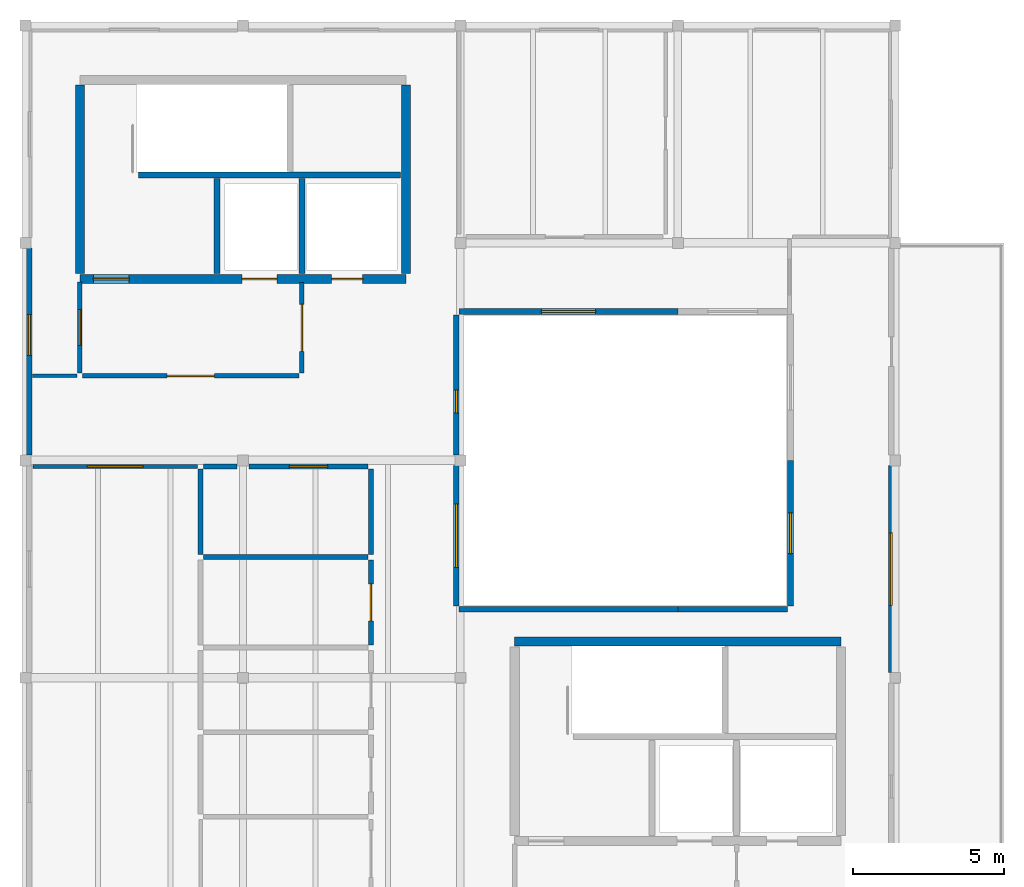
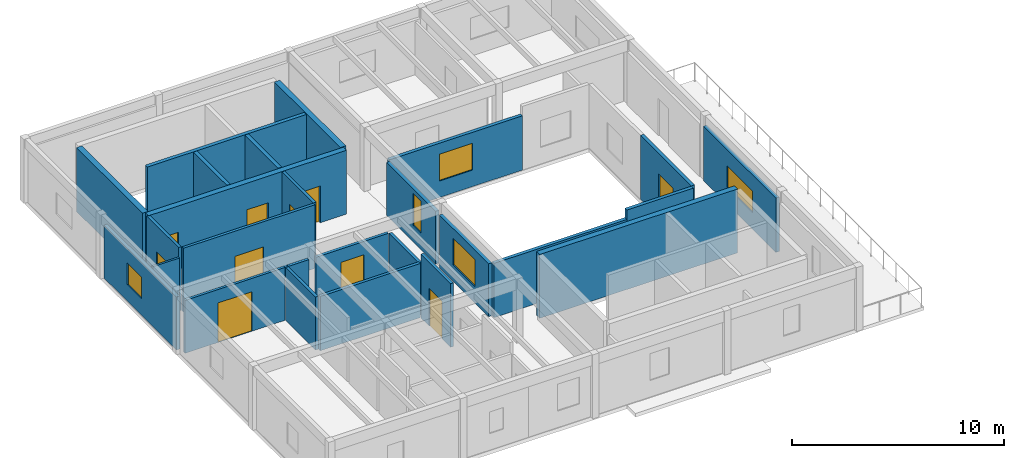
# One storey, part 3 of 5: 26 walls, 9 doors, 6 windows, 15 openings.
"""IFC4 building model written with IfcOpenShell, lengths in metres."""

from ifc_helpers import new_model, si_unit, direction, frame, frame_2d, origin, place, context, subcontext, project, spatial, rectangle, extrude, material, layer, layer_set, type_object, element, fill, save


model = new_model("IFC4")

# Units and contexts
model_context = context("Model", 3, precision=1e-05, world=origin(), true_north=direction((0.0, 1.0)))
body_context = subcontext(model_context, "Body", "Model", "MODEL_VIEW")
ifc_project = project(units=[si_unit("LENGTHUNIT", "METRE"), si_unit("AREAUNIT", "SQUARE_METRE"), si_unit("VOLUMEUNIT", "CUBIC_METRE"), si_unit("PLANEANGLEUNIT", "RADIAN"), si_unit("MASSUNIT", "GRAM", prefix="KILO")], contexts=[model_context])

# Site, building, storey
site_placement = place(None, origin())
site = spatial("IfcSite", under=ifc_project, at=site_placement, CompositionType="ELEMENT")
building_placement = place(site_placement, origin())
building = spatial("IfcBuilding", under=site, at=building_placement, Name="Bramvelor Terrace Health Centre", CompositionType="ELEMENT")
storey_placement = place(building_placement, frame((0.0, 0.0, 21.60009765625)))
storey = spatial("IfcBuildingStorey", under=building, at=storey_placement, Name="L06", CompositionType="ELEMENT", Elevation=21.60009765625)

# Wall
ifc_material_1 = material(Name="Acoustic clinical partition board", Category="gypsum")
ifc_layer_1 = layer(ifc_material_1, 0.110107421875)
ifc_layer_set_1 = layer_set([ifc_layer_1], Name="Acoustic clinical partition board")
wall_type_1 = type_object("IfcWallType", Name="WL-CLN-110", PredefinedType="PARTITIONING", material=ifc_layer_set_1)
wall_1_placement = place(storey_placement, frame((1.699951171875, 103.60009765625, 0.0), z_axis=(0.0, 0.0, 1.0), x_axis=(-1.0, 0.0, 0.0)))
element("IfcWall", 1, at=wall_1_placement, inside=storey, type_object=wall_type_1, Name="L06 Interior Partition 384", PredefinedType="PARTITIONING", context=body_context, shape_type="SweptSolid", body=[
    extrude(rectangle(XDim=1.467529296875, YDim=0.110107421875, at=frame_2d((0.73388671875, 0.0))), origin(), (0.0, 0.0, 1.0), 3.169921875),
])

# Wall, opening, door
ifc_material_2 = material(Name="Fire-rated gypsum and mineral wool", Category="gypsum")
ifc_layer_2 = layer(ifc_material_2, 0.139892578125)
ifc_layer_set_2 = layer_set([ifc_layer_2], Name="Fire-rated gypsum and mineral wool")
wall_type_2 = type_object("IfcWallType", Name="WL-COR-140", PredefinedType="PARTITIONING", material=ifc_layer_set_2)
wall_2_placement = place(storey_placement, frame((0.25, 100.60009765625, 0.0), z_axis=(0.0, 0.0, 1.0), x_axis=(0.999999918726, -0.000403171584, 0.0)))
wall_2 = element("IfcWall", 2, at=wall_2_placement, inside=storey, type_object=wall_type_2, Name="L06 Interior Partition 376", PredefinedType="PARTITIONING", context=body_context, shape_type="SweptSolid", body=[
    extrude(rectangle(XDim=5.449951171875, YDim=0.139892578125, at=frame_2d((2.72509765625, 0.0))), origin(), (0.0, 0.0, 1.0), 3.0498046875),
])
opening_1_placement = place(wall_2_placement, frame((1.804931640625, 0.0, 0.0)))
opening_1 = element("IfcOpeningElement", 3, at=opening_1_placement, cuts=wall_2, Name="Opening FD-10", PredefinedType="OPENING", context=body_context, shape_type="SweptSolid", body=[
    extrude(rectangle(XDim=1.840087890625, YDim=2.280029296875, at=frame_2d((0.919921875, 1.14013671875))), frame((0.0, 0.079833984375, 0.0), z_axis=(0.0, -1.0, 0.0), x_axis=(1.0, 0.0, 0.0)), (0.0, 0.0, 1.0), 0.159912109375),
])
ifc_material_3 = material(Name="Fire-rated steel and vision panel", Category="steel")
door_type_1 = type_object("IfcDoorType", Name="DR-FD60-184", OperationType="DOUBLE_DOOR_SINGLE_SWING", PredefinedType="DOOR", material=ifc_material_3)
door_1_placement = place(opening_1_placement, origin())
door_1 = element("IfcDoor", 4, at=door_1_placement, inside=storey, type_object=door_type_1, Name="L06 District Epidemiology Surveillance Lab Fire Door", OperationType="DOUBLE_DOOR_SINGLE_SWING", OverallHeight=2.280029296875, OverallWidth=1.840087890625, PredefinedType="DOOR", context=body_context, shape_type="SweptSolid", body=[
    extrude(rectangle(XDim=1.840087890625, YDim=2.280029296875, at=frame_2d((0.919921875, 1.14013671875))), frame((0.0, 0.02490234375, 0.0), z_axis=(0.0, -1.0, 0.0), x_axis=(1.0, 0.0, 0.0)), (0.0, 0.0, 1.0), 0.050048828125),
])
fill(opening_1, door_1)

# Walls
ifc_material_4 = material(Name="Concrete C40/50", Category="concrete")
ifc_layer_3 = layer(ifc_material_4, 0.199951171875)
ifc_layer_set_3 = layer_set([ifc_layer_3], Name="Concrete C40/50")
wall_type_3 = type_object("IfcWallType", Name="WL-CORE-200", PredefinedType="SHEAR", material=ifc_layer_set_3)
wall_3_placement = place(storey_placement, frame((3.75, 110.25, 0.0), z_axis=(0.0, 0.0, 1.0), x_axis=(1.0, 0.0, 0.0)))
element("IfcWall", 5, at=wall_3_placement, inside=storey, type_object=wall_type_3, Name="C1 L06 Core Shear Wall", PredefinedType="SHEAR", context=body_context, shape_type="SweptSolid", body=[
    extrude(rectangle(XDim=8.669921875, YDim=0.199951171875, at=frame_2d((4.3349609375, 0.0))), origin(), (0.0, 0.0, 1.0), 3.684814453125),
])
for number, where, z_axis, x_axis, name in (
    (6, (6.35009765625, 106.97998046875, 0.0), (0.0, 0.0, 1.0), (0.0, 1.0, 0.0), "C1 L06 Core Shear Wall"),
    (7, (9.14990234375, 106.97998046875, 0.0), (0.0, 0.0, 1.0), (0.0, 1.0, 0.0), "C1 L06 Lift Divider Wall"),
):
    element("IfcWall", number, at=place(storey_placement, frame(where, z_axis=z_axis, x_axis=x_axis)), inside=storey, type_object=wall_type_3, Name=name, PredefinedType="SHEAR", context=body_context, shape_type="SweptSolid", body=[
        extrude(rectangle(XDim=3.14990234375, YDim=0.199951171875, at=frame_2d((1.574951171875, 0.0))), origin(), (0.0, 0.0, 1.0), 3.684814453125),
    ])

# Wall, openings, doors
ifc_material_5 = material(Name="Concrete C40/50", Category="concrete")
ifc_layer_4 = layer(ifc_material_5, 0.300048828125)
ifc_layer_set_4 = layer_set([ifc_layer_4], Name="Concrete C40/50")
wall_type_4 = type_object("IfcWallType", Name="WL-CORE-300", PredefinedType="SHEAR", material=ifc_layer_set_4)
wall_4_placement = place(storey_placement, frame((1.800048828125, 106.800048828125, 0.0), z_axis=(0.0, 0.0, 1.0), x_axis=(1.0, 0.0, 0.0)))
wall_4 = element("IfcWall", 8, at=wall_4_placement, inside=storey, type_object=wall_type_4, Name="C1 L06 Core Shear Wall", PredefinedType="SHEAR", context=body_context, shape_type="SweptSolid", body=[
    extrude(rectangle(XDim=10.800048828125, YDim=0.300048828125, at=frame_2d((5.39990234375, 0.0))), origin(), (0.0, 0.0, 1.0), 3.684814453125),
])
opening_2_placement = place(wall_4_placement, frame((0.449951171875, 0.0, 0.0)))
opening_2 = element("IfcOpeningElement", 9, at=opening_2_placement, cuts=wall_4, Name="Opening FD-02", PredefinedType="OPENING", context=body_context, shape_type="SweptSolid", body=[
    extrude(rectangle(XDim=1.179931640625, YDim=2.159912109375, at=frame_2d((0.58984375, 1.080078125))), frame((0.0, 0.159912109375, 0.0), z_axis=(0.0, -1.0, 0.0), x_axis=(1.0, 0.0, 0.0)), (0.0, 0.0, 1.0), 0.320068359375),
])
opening_3_placement = place(wall_4_placement, frame((5.375, 0.0, 0.0)))
opening_3 = element("IfcOpeningElement", 10, at=opening_3_placement, cuts=wall_4, Name="Opening LD-1", PredefinedType="OPENING", context=body_context, shape_type="SweptSolid", body=[
    extrude(rectangle(XDim=1.14990234375, YDim=2.14990234375, at=frame_2d((0.574951171875, 1.074951171875))), frame((0.0, 0.159912109375, 0.0), z_axis=(0.0, -1.0, 0.0), x_axis=(1.0, 0.0, 0.0)), (0.0, 0.0, 1.0), 0.320068359375),
])
opening_4_placement = place(wall_4_placement, frame((8.340087890625, 0.0, 0.0)))
opening_4 = element("IfcOpeningElement", 11, at=opening_4_placement, cuts=wall_4, Name="Opening LD-2", PredefinedType="OPENING", context=body_context, shape_type="SweptSolid", body=[
    extrude(rectangle(XDim=1.02001953125, YDim=2.1201171875, at=frame_2d((0.510009765625, 1.06005859375))), frame((0.0, 0.159912109375, 0.0), z_axis=(0.0, -1.0, 0.0), x_axis=(1.0, 0.0, 0.0)), (0.0, 0.0, 1.0), 0.320068359375),
])
ifc_material_6 = material(Name="Fire-rated steel and vision panel", Category="steel")
door_type_2 = type_object("IfcDoorType", Name="DR-FD90-118", OperationType="NOTDEFINED", PredefinedType="DOOR", material=ifc_material_6)
door_2_placement = place(opening_2_placement, origin())
door_2 = element("IfcDoor", 12, at=door_2_placement, inside=storey, type_object=door_type_2, Name="C1 L06 Core Stair Fire Door", OperationType="SINGLE_SWING_LEFT", OverallHeight=2.159912109375, OverallWidth=1.179931640625, PredefinedType="DOOR", context=body_context, shape_type="SweptSolid", body=[
    extrude(rectangle(XDim=1.179931640625, YDim=2.159912109375, at=frame_2d((0.58984375, 1.080078125))), frame((0.0, 0.02490234375, 0.0), z_axis=(0.0, -1.0, 0.0), x_axis=(1.0, 0.0, 0.0)), (0.0, 0.0, 1.0), 0.050048828125),
])
fill(opening_2, door_2)
ifc_material_7 = material(Name="Brushed stainless steel 316", Category="steel")
door_type_3 = type_object("IfcDoorType", Name="DR-LIFT-FF115", OperationType="DOUBLE_DOOR_SLIDING", PredefinedType="DOOR", material=ifc_material_7)
door_3_placement = place(opening_3_placement, origin())
door_3 = element("IfcDoor", 13, at=door_3_placement, inside=storey, type_object=door_type_3, Name="Lift LF-01 L06 Sliding Landing Door", OperationType="DOUBLE_DOOR_SLIDING", OverallHeight=2.14990234375, OverallWidth=1.14990234375, PredefinedType="DOOR", context=body_context, shape_type="SweptSolid", body=[
    extrude(rectangle(XDim=1.14990234375, YDim=2.14990234375, at=frame_2d((0.574951171875, 1.074951171875))), frame((0.0, 0.02490234375, 0.0), z_axis=(0.0, -1.0, 0.0), x_axis=(1.0, 0.0, 0.0)), (0.0, 0.0, 1.0), 0.050048828125),
])
fill(opening_3, door_3)
ifc_material_8 = material(Name="Brushed stainless steel 316", Category="steel")
door_type_4 = type_object("IfcDoorType", Name="DR-LIFT-PS102", OperationType="SLIDING_TO_LEFT", PredefinedType="DOOR", material=ifc_material_8)
door_4_placement = place(opening_4_placement, origin())
door_4 = element("IfcDoor", 14, at=door_4_placement, inside=storey, type_object=door_type_4, Name="Lift LP-01 L06 Sliding Landing Door", OperationType="SLIDING_TO_LEFT", OverallHeight=2.1201171875, OverallWidth=1.02001953125, PredefinedType="DOOR", context=body_context, shape_type="SweptSolid", body=[
    extrude(rectangle(XDim=1.02001953125, YDim=2.1201171875, at=frame_2d((0.510009765625, 1.06005859375))), frame((0.0, 0.02490234375, 0.0), z_axis=(0.0, -1.0, 0.0), x_axis=(1.0, 0.0, 0.0)), (0.0, 0.0, 1.0), 0.050048828125),
])
fill(opening_4, door_4)

# Walls
for number, where, z_axis, x_axis, name in (
    (15, (1.800048828125, 106.97998046875, 0.0), (0.0, 0.0, 1.0), (0.0, 1.0, 0.0), "C1 L06 Core Shear Wall"),
    (16, (12.60009765625, 106.97998046875, 0.0), (0.0, 0.0, 1.0), (0.0, 1.0, 0.0), "C1 L06 Core Shear Wall"),
):
    element("IfcWall", number, at=place(storey_placement, frame(where, z_axis=z_axis, x_axis=x_axis)), inside=storey, type_object=wall_type_4, Name=name, PredefinedType="SHEAR", context=body_context, shape_type="SweptSolid", body=[
        extrude(rectangle(XDim=6.239990234375, YDim=0.300048828125, at=frame_2d((3.1201171875, 0.0))), origin(), (0.0, 0.0, 1.0), 3.684814453125),
    ])
wall_5_placement = place(storey_placement, frame((16.199951171875, 94.800048828125, 0.0), z_axis=(0.0, 0.0, 1.0), x_axis=(1.0, 0.0, 0.0)))
element("IfcWall", 17, at=wall_5_placement, inside=storey, type_object=wall_type_4, Name="C2 L06 Core Shear Wall", PredefinedType="SHEAR", context=body_context, shape_type="SweptSolid", body=[
    extrude(rectangle(XDim=10.800048828125, YDim=0.300048828125, at=frame_2d((5.39990234375, 0.0))), origin(), (0.0, 0.0, 1.0), 3.684814453125),
])

# Wall, opening, window
ifc_material_9 = material(Name="Cross-laminated timber C24", Category="wood")
ifc_layer_5 = layer(ifc_material_9, 0.18505859375)
ifc_layer_set_5 = layer_set([ifc_layer_5], Name="Cross-laminated timber C24")
wall_type_5 = type_object("IfcWallType", Name="WL-EXT-CLT185", PredefinedType="SOLIDWALL", material=ifc_layer_set_5)
wall_6_placement = place(storey_placement, frame((0.1298828125, 100.97509765625, 0.0), z_axis=(0.0, 0.0, 1.0), x_axis=(0.0, 1.0, 0.0)))
wall_6 = element("IfcWall", 18, at=wall_6_placement, inside=storey, type_object=wall_type_5, Name="L06 Exterior Facade Wall 5", PredefinedType="SOLIDWALL", context=body_context, shape_type="SweptSolid", body=[
    extrude(rectangle(XDim=6.849853515625, YDim=0.18505859375, at=frame_2d((3.4248046875, 0.0))), origin(), (0.0, 0.0, 1.0), 3.0498046875),
])
opening_5_placement = place(wall_6_placement, frame((3.300048828125, 0.0, 0.949951171875)))
opening_5 = element("IfcOpeningElement", 19, at=opening_5_placement, cuts=wall_6, Name="Opening WN-29", PredefinedType="OPENING", context=body_context, shape_type="SweptSolid", body=[
    extrude(rectangle(XDim=1.35009765625, YDim=1.25, at=frame_2d((0.675048828125, 0.625))), frame((0.0, 0.1025390625, 0.0), z_axis=(0.0, -1.0, 0.0), x_axis=(1.0, 0.0, 0.0)), (0.0, 0.0, 1.0), 0.205078125),
])
ifc_material_10 = material(Name="Double low-E laminated glass", Category="glass")
window_type_1 = type_object("IfcWindowType", Name="WIN-EXT-29", PartitioningType="SINGLE_PANEL", PredefinedType="WINDOW", material=ifc_material_10)
window_1_placement = place(opening_5_placement, origin())
window_1 = element("IfcWindow", 20, at=window_1_placement, inside=storey, type_object=window_type_1, Name="L06 Scheduled Clinical Window 269", OverallHeight=1.25, OverallWidth=1.35009765625, PartitioningType="SINGLE_PANEL", PredefinedType="WINDOW", context=body_context, shape_type="SweptSolid", body=[
    extrude(rectangle(XDim=1.35009765625, YDim=1.25, at=frame_2d((0.675048828125, 0.625))), frame((0.0, 0.030029296875, 0.0), z_axis=(0.0, -1.0, 0.0), x_axis=(1.0, 0.0, 0.0)), (0.0, 0.0, 1.0), 0.06005859375),
])
fill(opening_5, window_1)

wall_7_placement = place(storey_placement, frame((28.669921875, 100.625, 0.0), z_axis=(0.0, 0.0, 1.0), x_axis=(0.0, -1.0, 0.0)))
wall_7 = element("IfcWall", 21, at=wall_7_placement, inside=storey, type_object=wall_type_5, Name="L06 Exterior Facade Wall 13", PredefinedType="SOLIDWALL", context=body_context, shape_type="SweptSolid", body=[
    extrude(rectangle(XDim=6.85009765625, YDim=0.18505859375, at=frame_2d((3.425048828125, 0.0))), origin(), (0.0, 0.0, 1.0), 3.1298828125),
])
opening_6_placement = place(wall_7_placement, frame((2.22509765625, 0.0, 0.949951171875)))
opening_6 = element("IfcOpeningElement", 22, at=opening_6_placement, cuts=wall_7, Name="Opening WN-36", PredefinedType="OPENING", context=body_context, shape_type="SweptSolid", body=[
    extrude(rectangle(XDim=2.39990234375, YDim=1.25, at=frame_2d((1.199951171875, 0.625))), frame((0.0, 0.1025390625, 0.0), z_axis=(0.0, -1.0, 0.0), x_axis=(1.0, 0.0, 0.0)), (0.0, 0.0, 1.0), 0.205078125),
])
ifc_material_11 = material(Name="Double low-E laminated glass", Category="glass")
window_type_2 = type_object("IfcWindowType", Name="WIN-EXT-36", PartitioningType="SINGLE_PANEL", PredefinedType="WINDOW", material=ifc_material_11)
window_2_placement = place(opening_6_placement, origin())
window_2 = element("IfcWindow", 23, at=window_2_placement, inside=storey, type_object=window_type_2, Name="L06 Scheduled Clinical Window 276", OverallHeight=1.25, OverallWidth=2.39990234375, PartitioningType="SINGLE_PANEL", PredefinedType="WINDOW", context=body_context, shape_type="SweptSolid", body=[
    extrude(rectangle(XDim=2.39990234375, YDim=1.25, at=frame_2d((1.199951171875, 0.625))), frame((0.0, 0.030029296875, 0.0), z_axis=(0.0, -1.0, 0.0), x_axis=(1.0, 0.0, 0.0)), (0.0, 0.0, 1.0), 0.06005859375),
])
fill(opening_6, window_2)

# Walls
wall_8_placement = place(storey_placement, frame((14.360107421875, 95.8701171875, 0.0), z_axis=(0.0, 0.0, 1.0), x_axis=(1.0, 0.0, 0.0)))
element("IfcWall", 24, at=wall_8_placement, inside=storey, type_object=wall_type_5, Name="L06 Exterior Facade Wall 18", PredefinedType="SOLIDWALL", context=body_context, shape_type="SweptSolid", body=[
    extrude(rectangle(XDim=7.239990234375, YDim=0.18505859375, at=frame_2d((3.6201171875, 0.0))), origin(), (0.0, 0.0, 1.0), 3.1298828125),
])
wall_9_placement = place(storey_placement, frame((21.60009765625, 95.8701171875, 0.0), z_axis=(0.0, 0.0, 1.0), x_axis=(1.0, 0.0, 0.0)))
element("IfcWall", 25, at=wall_9_placement, inside=storey, type_object=wall_type_5, Name="L06 Exterior Facade Wall 19", PredefinedType="SOLIDWALL", context=body_context, shape_type="SweptSolid", body=[
    extrude(rectangle(XDim=3.639892578125, YDim=0.18505859375, at=frame_2d((1.81982421875, 0.0))), origin(), (0.0, 0.0, 1.0), 3.669921875),
])

# Wall, opening, window
wall_10_placement = place(storey_placement, frame((25.330078125, 95.97998046875, 0.0), z_axis=(0.0, 0.0, 1.0), x_axis=(0.0, 1.0, 0.0)))
wall_10 = element("IfcWall", 26, at=wall_10_placement, inside=storey, type_object=wall_type_5, Name="L06 Exterior Facade Wall 20", PredefinedType="SOLIDWALL", context=body_context, shape_type="SweptSolid", body=[
    extrude(rectangle(XDim=4.820068359375, YDim=0.18505859375, at=frame_2d((2.41015625, 0.0))), origin(), (0.0, 0.0, 1.0), 3.669921875),
])
opening_7_placement = place(wall_10_placement, frame((1.735107421875, 0.0, 0.949951171875)))
opening_7 = element("IfcOpeningElement", 27, at=opening_7_placement, cuts=wall_10, Name="Opening WN-41", PredefinedType="OPENING", context=body_context, shape_type="SweptSolid", body=[
    extrude(rectangle(XDim=1.35009765625, YDim=1.550048828125, at=frame_2d((0.675048828125, 0.77490234375))), frame((0.0, 0.1025390625, 0.0), z_axis=(0.0, -1.0, 0.0), x_axis=(1.0, 0.0, 0.0)), (0.0, 0.0, 1.0), 0.205078125),
])
ifc_material_12 = material(Name="Double low-E laminated glass", Category="glass")
window_type_3 = type_object("IfcWindowType", Name="WIN-EXT-41", PartitioningType="SINGLE_PANEL", PredefinedType="WINDOW", material=ifc_material_12)
window_3_placement = place(opening_7_placement, origin())
window_3 = element("IfcWindow", 28, at=window_3_placement, inside=storey, type_object=window_type_3, Name="L06 Scheduled Clinical Window 281", OverallHeight=1.550048828125, OverallWidth=1.35009765625, PartitioningType="SINGLE_PANEL", PredefinedType="WINDOW", context=body_context, shape_type="SweptSolid", body=[
    extrude(rectangle(XDim=1.35009765625, YDim=1.550048828125, at=frame_2d((0.675048828125, 0.77490234375))), frame((0.0, 0.030029296875, 0.0), z_axis=(0.0, -1.0, 0.0), x_axis=(1.0, 0.0, 0.0)), (0.0, 0.0, 1.0), 0.06005859375),
])
fill(opening_7, window_3)

wall_11_placement = place(storey_placement, frame((21.60009765625, 105.72998046875, 0.0), z_axis=(0.0, 0.0, 1.0), x_axis=(-1.0, 0.0, 0.0)))
wall_11 = element("IfcWall", 29, at=wall_11_placement, inside=storey, type_object=wall_type_5, Name="L06 Exterior Facade Wall 23", PredefinedType="SOLIDWALL", context=body_context, shape_type="SweptSolid", body=[
    extrude(rectangle(XDim=7.239990234375, YDim=0.18505859375, at=frame_2d((3.6201171875, 0.0))), origin(), (0.0, 0.0, 1.0), 3.1298828125),
])
opening_8_placement = place(wall_11_placement, frame((2.719970703125, 0.0, 0.949951171875)))
opening_8 = element("IfcOpeningElement", 30, at=opening_8_placement, cuts=wall_11, Name="Opening WN-44", PredefinedType="OPENING", context=body_context, shape_type="SweptSolid", body=[
    extrude(rectangle(XDim=1.800048828125, YDim=1.550048828125, at=frame_2d((0.89990234375, 0.77490234375))), frame((0.0, 0.1025390625, 0.0), z_axis=(0.0, -1.0, 0.0), x_axis=(1.0, 0.0, 0.0)), (0.0, 0.0, 1.0), 0.205078125),
])
ifc_material_13 = material(Name="Double low-E laminated glass", Category="glass")
window_type_4 = type_object("IfcWindowType", Name="WIN-EXT-44", PartitioningType="SINGLE_PANEL", PredefinedType="WINDOW", material=ifc_material_13)
window_4_placement = place(opening_8_placement, origin())
window_4 = element("IfcWindow", 31, at=window_4_placement, inside=storey, type_object=window_type_4, Name="L06 Scheduled Clinical Window 284", OverallHeight=1.550048828125, OverallWidth=1.800048828125, PartitioningType="SINGLE_PANEL", PredefinedType="WINDOW", context=body_context, shape_type="SweptSolid", body=[
    extrude(rectangle(XDim=1.800048828125, YDim=1.550048828125, at=frame_2d((0.89990234375, 0.77490234375))), frame((0.0, 0.030029296875, 0.0), z_axis=(0.0, -1.0, 0.0), x_axis=(1.0, 0.0, 0.0)), (0.0, 0.0, 1.0), 0.06005859375),
])
fill(opening_8, window_4)

wall_12_placement = place(storey_placement, frame((14.27001953125, 105.6201171875, 0.0), z_axis=(0.0, 0.0, 1.0), x_axis=(0.0, -1.0, 0.0)))
wall_12 = element("IfcWall", 32, at=wall_12_placement, inside=storey, type_object=wall_type_5, Name="L06 Exterior Facade Wall 24", PredefinedType="SOLIDWALL", context=body_context, shape_type="SweptSolid", body=[
    extrude(rectangle(XDim=4.64501953125, YDim=0.18505859375, at=frame_2d((2.322509765625, 0.0))), origin(), (0.0, 0.0, 1.0), 3.0498046875),
])
opening_9_placement = place(wall_12_placement, frame((2.49755859375, 0.0, 0.949951171875)))
opening_9 = element("IfcOpeningElement", 33, at=opening_9_placement, cuts=wall_12, Name="Opening WN-49", PredefinedType="OPENING", context=body_context, shape_type="SweptSolid", body=[
    extrude(rectangle(XDim=0.75, YDim=1.85009765625, at=frame_2d((0.375, 0.925048828125))), frame((0.0, 0.1025390625, 0.0), z_axis=(0.0, -1.0, 0.0), x_axis=(1.0, 0.0, 0.0)), (0.0, 0.0, 1.0), 0.205078125),
])
ifc_material_14 = material(Name="Double low-E laminated glass", Category="glass")
window_type_5 = type_object("IfcWindowType", Name="WIN-EXT-49", PartitioningType="SINGLE_PANEL", PredefinedType="WINDOW", material=ifc_material_14)
window_5_placement = place(opening_9_placement, origin())
window_5 = element("IfcWindow", 34, at=window_5_placement, inside=storey, type_object=window_type_5, Name="L06 Scheduled Clinical Window 285", OverallHeight=1.85009765625, OverallWidth=0.75, PartitioningType="SINGLE_PANEL", PredefinedType="WINDOW", context=body_context, shape_type="SweptSolid", body=[
    extrude(rectangle(XDim=0.75, YDim=1.85009765625, at=frame_2d((0.375, 0.925048828125))), frame((0.0, 0.030029296875, 0.0), z_axis=(0.0, -1.0, 0.0), x_axis=(1.0, 0.0, 0.0)), (0.0, 0.0, 1.0), 0.06005859375),
])
fill(opening_9, window_5)

wall_13_placement = place(storey_placement, frame((14.27001953125, 100.625, 0.0), z_axis=(0.0, 0.0, 1.0), x_axis=(0.0, -1.0, 0.0)))
wall_13 = element("IfcWall", 35, at=wall_13_placement, inside=storey, type_object=wall_type_5, Name="L06 Exterior Facade Wall 25", PredefinedType="SOLIDWALL", context=body_context, shape_type="SweptSolid", body=[
    extrude(rectangle(XDim=4.64501953125, YDim=0.18505859375, at=frame_2d((2.322509765625, 0.0))), origin(), (0.0, 0.0, 1.0), 3.0498046875),
])
opening_10_placement = place(wall_13_placement, frame((1.2724609375, 0.0, 0.949951171875)))
opening_10 = element("IfcOpeningElement", 36, at=opening_10_placement, cuts=wall_13, Name="Opening WN-46", PredefinedType="OPENING", context=body_context, shape_type="SweptSolid", body=[
    extrude(rectangle(XDim=2.10009765625, YDim=1.550048828125, at=frame_2d((1.050048828125, 0.77490234375))), frame((0.0, 0.1025390625, 0.0), z_axis=(0.0, -1.0, 0.0), x_axis=(1.0, 0.0, 0.0)), (0.0, 0.0, 1.0), 0.205078125),
])
ifc_material_15 = material(Name="Double low-E laminated glass", Category="glass")
window_type_6 = type_object("IfcWindowType", Name="WIN-EXT-46", PartitioningType="SINGLE_PANEL", PredefinedType="WINDOW", material=ifc_material_15)
window_6_placement = place(opening_10_placement, origin())
window_6 = element("IfcWindow", 37, at=window_6_placement, inside=storey, type_object=window_type_6, Name="L06 Scheduled Clinical Window 286", OverallHeight=1.550048828125, OverallWidth=2.10009765625, PartitioningType="SINGLE_PANEL", PredefinedType="WINDOW", context=body_context, shape_type="SweptSolid", body=[
    extrude(rectangle(XDim=2.10009765625, YDim=1.550048828125, at=frame_2d((1.050048828125, 0.77490234375))), frame((0.0, 0.030029296875, 0.0), z_axis=(0.0, -1.0, 0.0), x_axis=(1.0, 0.0, 0.0)), (0.0, 0.0, 1.0), 0.06005859375),
])
fill(opening_10, window_6)

# Wall, opening, door
ifc_material_16 = material(Name="Fire-rated gypsum and mineral wool", Category="gypsum")
ifc_layer_6 = layer(ifc_material_16, 0.14990234375)
ifc_layer_set_6 = layer_set([ifc_layer_6], Name="Fire-rated gypsum and mineral wool")
wall_type_6 = type_object("IfcWallType", Name="WL-FIR-150", PredefinedType="PARTITIONING", material=ifc_layer_set_6)
wall_14_placement = place(storey_placement, frame((1.800048828125, 103.68994140625, 0.0), z_axis=(0.0, 0.0, 1.0), x_axis=(0.0, 1.0, 0.0)))
wall_14 = element("IfcWall", 38, at=wall_14_placement, inside=storey, type_object=wall_type_6, Name="L06 Interior Partition 357", PredefinedType="PARTITIONING", context=body_context, shape_type="SweptSolid", body=[
    extrude(rectangle(XDim=3.01513671875, YDim=0.14990234375, at=frame_2d((1.507568359375, 0.0))), origin(), (0.0, 0.0, 1.0), 3.669921875),
])
opening_11_placement = place(wall_14_placement, frame((0.91748046875, 0.0, 0.0)))
opening_11 = element("IfcOpeningElement", 39, at=opening_11_placement, cuts=wall_14, Name="Opening FD-02", PredefinedType="OPENING", context=body_context, shape_type="SweptSolid", body=[
    extrude(rectangle(XDim=1.179931640625, YDim=2.159912109375, at=frame_2d((0.58984375, 1.080078125))), frame((0.0, 0.0849609375, 0.0), z_axis=(0.0, -1.0, 0.0), x_axis=(1.0, 0.0, 0.0)), (0.0, 0.0, 1.0), 0.169921875),
])
door_5_placement = place(opening_11_placement, origin())
door_5 = element("IfcDoor", 40, at=door_5_placement, inside=storey, type_object=door_type_2, Name="L06 Genomic Epidemiology Sequencing Lab Fire Door", OperationType="SINGLE_SWING_LEFT", OverallHeight=2.159912109375, OverallWidth=1.179931640625, PredefinedType="DOOR", context=body_context, shape_type="SweptSolid", body=[
    extrude(rectangle(XDim=1.179931640625, YDim=2.159912109375, at=frame_2d((0.58984375, 1.080078125))), frame((0.0, 0.02490234375, 0.0), z_axis=(0.0, -1.0, 0.0), x_axis=(1.0, 0.0, 0.0)), (0.0, 0.0, 1.0), 0.050048828125),
])
fill(opening_11, door_5)

wall_15_placement = place(storey_placement, frame((9.14990234375, 106.68310546875, 0.0), z_axis=(0.0, 0.0, 1.0), x_axis=(0.0, -1.0, 0.0)))
wall_15 = element("IfcWall", 41, at=wall_15_placement, inside=storey, type_object=wall_type_6, Name="L06 Interior Partition 358", PredefinedType="PARTITIONING", context=body_context, shape_type="SweptSolid", body=[
    extrude(rectangle(XDim=2.9931640625, YDim=0.14990234375, at=frame_2d((1.49658203125, 0.0))), origin(), (0.0, 0.0, 1.0), 3.669921875),
])
opening_12_placement = place(wall_15_placement, frame((0.716552734375, 0.0, 0.0)))
opening_12 = element("IfcOpeningElement", 42, at=opening_12_placement, cuts=wall_15, Name="Opening FD-03", PredefinedType="OPENING", context=body_context, shape_type="SweptSolid", body=[
    extrude(rectangle(XDim=1.56005859375, YDim=2.219970703125, at=frame_2d((0.780029296875, 1.10986328125))), frame((0.0, 0.0849609375, 0.0), z_axis=(0.0, -1.0, 0.0), x_axis=(1.0, 0.0, 0.0)), (0.0, 0.0, 1.0), 0.169921875),
])
ifc_material_17 = material(Name="Fire-rated steel and vision panel", Category="steel")
door_type_5 = type_object("IfcDoorType", Name="DR-FD90-156", OperationType="DOUBLE_DOOR_SINGLE_SWING", PredefinedType="DOOR", material=ifc_material_17)
door_6_placement = place(opening_12_placement, origin())
door_6 = element("IfcDoor", 43, at=door_6_placement, inside=storey, type_object=door_type_5, Name="L06 Fire Compartment Lobby Door 149", OperationType="DOUBLE_DOOR_SINGLE_SWING", OverallHeight=2.219970703125, OverallWidth=1.56005859375, PredefinedType="DOOR", context=body_context, shape_type="SweptSolid", body=[
    extrude(rectangle(XDim=1.56005859375, YDim=2.219970703125, at=frame_2d((0.780029296875, 1.10986328125))), frame((0.0, 0.02490234375, 0.0), z_axis=(0.0, -1.0, 0.0), x_axis=(1.0, 0.0, 0.0)), (0.0, 0.0, 1.0), 0.050048828125),
])
fill(opening_12, door_6)

wall_16_placement = place(storey_placement, frame((9.06005859375, 103.60009765625, 0.0), z_axis=(0.0, 0.0, 1.0), x_axis=(-1.0, 0.0, 0.0)))
wall_16 = element("IfcWall", 44, at=wall_16_placement, inside=storey, type_object=wall_type_6, Name="L06 Interior Partition 359", PredefinedType="PARTITIONING", context=body_context, shape_type="SweptSolid", body=[
    extrude(rectangle(XDim=7.170166015625, YDim=0.14990234375, at=frame_2d((3.5849609375, 0.0))), origin(), (0.0, 0.0, 1.0), 3.669921875),
])
opening_13_placement = place(wall_16_placement, frame((2.804931640625, 0.0, 0.0)))
opening_13 = element("IfcOpeningElement", 45, at=opening_13_placement, cuts=wall_16, Name="Opening FD-03", PredefinedType="OPENING", context=body_context, shape_type="SweptSolid", body=[
    extrude(rectangle(XDim=1.56005859375, YDim=2.219970703125, at=frame_2d((0.780029296875, 1.10986328125))), frame((0.0, 0.0849609375, 0.0), z_axis=(0.0, -1.0, 0.0), x_axis=(1.0, 0.0, 0.0)), (0.0, 0.0, 1.0), 0.169921875),
])
door_7_placement = place(opening_13_placement, origin())
door_7 = element("IfcDoor", 46, at=door_7_placement, inside=storey, type_object=door_type_5, Name="L06 Fire Compartment Lobby Door 150", OperationType="DOUBLE_DOOR_SINGLE_SWING", OverallHeight=2.219970703125, OverallWidth=1.56005859375, PredefinedType="DOOR", context=body_context, shape_type="SweptSolid", body=[
    extrude(rectangle(XDim=1.56005859375, YDim=2.219970703125, at=frame_2d((0.780029296875, 1.10986328125))), frame((0.0, 0.02490234375, 0.0), z_axis=(0.0, -1.0, 0.0), x_axis=(1.0, 0.0, 0.0)), (0.0, 0.0, 1.0), 0.050048828125),
])
fill(opening_13, door_7)

# Wall
ifc_material_18 = material(Name="Moisture-resistant service chase board", Category="gypsum")
ifc_layer_7 = layer(ifc_material_18, 0.159912109375)
ifc_layer_set_7 = layer_set([ifc_layer_7], Name="Moisture-resistant service chase board")
wall_type_7 = type_object("IfcWallType", Name="WL-PLM-160", PredefinedType="PLUMBINGWALL", material=ifc_layer_set_7)
wall_17_placement = place(storey_placement, frame((5.889892578125, 100.597900390625, 0.0), z_axis=(0.0, 0.0, 1.0), x_axis=(1.0, 0.0, 0.0)))
element("IfcWall", 47, at=wall_17_placement, inside=storey, type_object=wall_type_7, Name="L06 Interior Partition 362", PredefinedType="PLUMBINGWALL", context=body_context, shape_type="SweptSolid", body=[
    extrude(rectangle(XDim=1.114990234375, YDim=0.159912109375, at=frame_2d((0.5576171875, 0.0))), origin(), (0.0, 0.0, 1.0), 3.0498046875),
])

# Wall, opening, door
wall_18_placement = place(storey_placement, frame((7.39501953125, 100.597900390625, 0.0), z_axis=(0.0, 0.0, 1.0), x_axis=(1.0, 0.0, 0.0)))
wall_18 = element("IfcWall", 48, at=wall_18_placement, inside=storey, type_object=wall_type_7, Name="L06 Interior Partition 363", PredefinedType="PLUMBINGWALL", context=body_context, shape_type="SweptSolid", body=[
    extrude(rectangle(XDim=3.955078125, YDim=0.159912109375, at=frame_2d((1.9775390625, 0.0))), origin(), (0.0, 0.0, 1.0), 3.0498046875),
])
opening_14_placement = place(wall_18_placement, frame((1.347412109375, 0.0, 0.0)))
opening_14 = element("IfcOpeningElement", 49, at=opening_14_placement, cuts=wall_18, Name="Opening ID-C03", PredefinedType="OPENING", context=body_context, shape_type="SweptSolid", body=[
    extrude(rectangle(XDim=1.260009765625, YDim=2.280029296875, at=frame_2d((0.6298828125, 1.14013671875))), frame((0.0, 0.08984375, 0.0), z_axis=(0.0, -1.0, 0.0), x_axis=(1.0, 0.0, 0.0)), (0.0, 0.0, 1.0), 0.179931640625),
])
ifc_material_19 = material(Name="Solid-core acoustic timber laminate", Category="wood")
door_type_6 = type_object("IfcDoorType", Name="DR-CLN-03", OperationType="NOTDEFINED", PredefinedType="DOOR", material=ifc_material_19)
door_8_placement = place(opening_14_placement, origin())
door_8 = element("IfcDoor", 50, at=door_8_placement, inside=storey, type_object=door_type_6, Name="L06 Accessible Male WC Clinical Door", OperationType="SINGLE_SWING_LEFT", OverallHeight=2.280029296875, OverallWidth=1.260009765625, PredefinedType="DOOR", context=body_context, shape_type="SweptSolid", body=[
    extrude(rectangle(XDim=1.260009765625, YDim=2.280029296875, at=frame_2d((0.6298828125, 1.14013671875))), frame((0.0, 0.02490234375, 0.0), z_axis=(0.0, -1.0, 0.0), x_axis=(1.0, 0.0, 0.0)), (0.0, 0.0, 1.0), 0.050048828125),
])
fill(opening_14, door_8)

# Walls
wall_19_placement = place(storey_placement, frame((11.43994140625, 100.508056640625, 0.0), z_axis=(0.0, 0.0, 1.0), x_axis=(0.0, -1.0, 0.0)))
element("IfcWall", 51, at=wall_19_placement, inside=storey, type_object=wall_type_7, Name="L06 Interior Partition 364", PredefinedType="PLUMBINGWALL", context=body_context, shape_type="SweptSolid", body=[
    extrude(rectangle(XDim=2.818115234375, YDim=0.159912109375, at=frame_2d((1.4091796875, 0.0))), origin(), (0.0, 0.0, 1.0), 3.0498046875),
])
wall_20_placement = place(storey_placement, frame((11.35009765625, 97.60009765625, 0.0), z_axis=(0.0, 0.0, 1.0), x_axis=(-1.0, 0.0, 0.0)))
element("IfcWall", 52, at=wall_20_placement, inside=storey, type_object=wall_type_7, Name="L06 Interior Partition 365", PredefinedType="PLUMBINGWALL", context=body_context, shape_type="SweptSolid", body=[
    extrude(rectangle(XDim=5.460205078125, YDim=0.159912109375, at=frame_2d((2.72998046875, 0.0))), origin(), (0.0, 0.0, 1.0), 3.1298828125),
])
wall_21_placement = place(storey_placement, frame((5.800048828125, 97.68994140625, 0.0), z_axis=(0.0, 0.0, 1.0), x_axis=(0.0, 1.0, 0.0)))
element("IfcWall", 53, at=wall_21_placement, inside=storey, type_object=wall_type_7, Name="L06 Interior Partition 366", PredefinedType="PLUMBINGWALL", context=body_context, shape_type="SweptSolid", body=[
    extrude(rectangle(XDim=2.818115234375, YDim=0.159912109375, at=frame_2d((1.4091796875, 0.0))), origin(), (0.0, 0.0, 1.0), 3.0498046875),
])

# Wall, opening, door
wall_22_placement = place(storey_placement, frame((11.43994140625, 97.5, 0.0), z_axis=(0.0, 0.0, 1.0), x_axis=(0.0, -1.0, 0.0)))
wall_22 = element("IfcWall", 54, at=wall_22_placement, inside=storey, type_object=wall_type_7, Name="L06 Interior Partition 367", PredefinedType="PLUMBINGWALL", context=body_context, shape_type="SweptSolid", body=[
    extrude(rectangle(XDim=2.81005859375, YDim=0.159912109375, at=frame_2d((1.405029296875, 0.0))), origin(), (0.0, 0.0, 1.0), 3.669921875),
])
opening_15_placement = place(wall_22_placement, frame((0.794921875, 0.0, 0.0)))
opening_15 = element("IfcOpeningElement", 55, at=opening_15_placement, cuts=wall_22, Name="Opening ID-C04", PredefinedType="OPENING", context=body_context, shape_type="SweptSolid", body=[
    extrude(rectangle(XDim=1.219970703125, YDim=2.179931640625, at=frame_2d((0.60986328125, 1.08984375))), frame((0.0, 0.08984375, 0.0), z_axis=(0.0, -1.0, 0.0), x_axis=(1.0, 0.0, 0.0)), (0.0, 0.0, 1.0), 0.179931640625),
])
ifc_material_20 = material(Name="Solid-core acoustic timber laminate", Category="wood")
door_type_7 = type_object("IfcDoorType", Name="DR-CLN-04", OperationType="NOTDEFINED", PredefinedType="DOOR", material=ifc_material_20)
door_9_placement = place(opening_15_placement, origin())
door_9 = element("IfcDoor", 56, at=door_9_placement, inside=storey, type_object=door_type_7, Name="L06 Accessible Female WC Clinical Door", OperationType="SINGLE_SWING_RIGHT", OverallHeight=2.179931640625, OverallWidth=1.219970703125, PredefinedType="DOOR", context=body_context, shape_type="SweptSolid", body=[
    extrude(rectangle(XDim=1.219970703125, YDim=2.179931640625, at=frame_2d((0.60986328125, 1.08984375))), frame((0.0, 0.02490234375, 0.0), z_axis=(0.0, -1.0, 0.0), x_axis=(1.0, 0.0, 0.0)), (0.0, 0.0, 1.0), 0.050048828125),
])
fill(opening_15, door_9)

save(model, "model.ifc")
